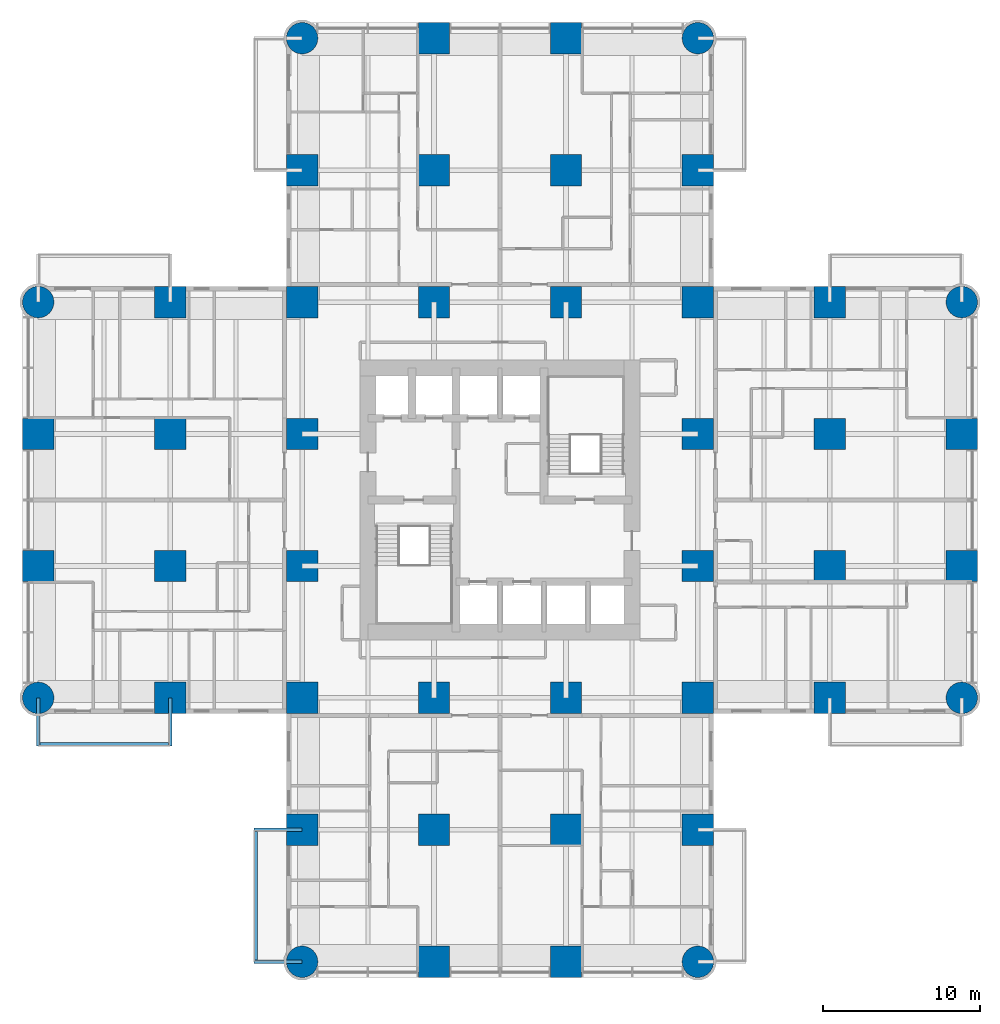
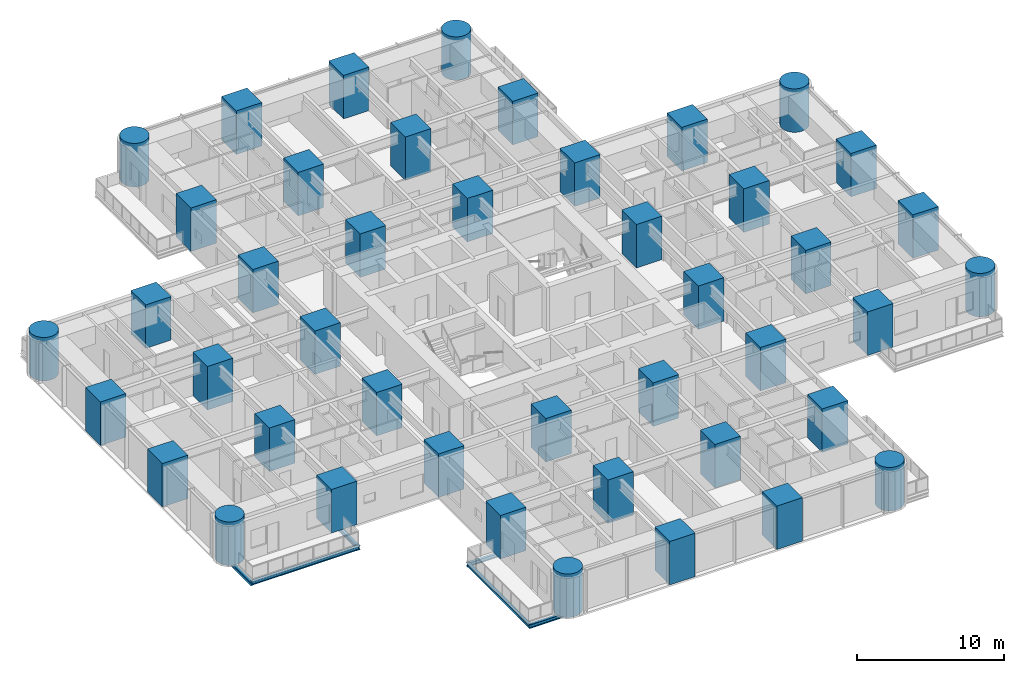
# One storey, part 1 of 17: 44 columns, 6 beams.
"""IFC4 building model written with IfcOpenShell, lengths in metres."""

from ifc_helpers import new_model, si_unit, direction, frame, origin, origin_2d, place, context, subcontext, project, spatial, rectangle, circle, i_section, extrude, material, material_profile, profile_set, type_object, element, save


model = new_model("IFC4")

# Units and contexts
model_context = context("Model", 3, precision=1e-05, world=origin(), true_north=direction((0.0, 1.0)))
body_context = subcontext(model_context, "Body", "Model", "MODEL_VIEW")
ifc_project = project(units=[si_unit("LENGTHUNIT", "METRE"), si_unit("AREAUNIT", "SQUARE_METRE"), si_unit("VOLUMEUNIT", "CUBIC_METRE"), si_unit("PLANEANGLEUNIT", "RADIAN"), si_unit("MASSUNIT", "GRAM", prefix="KILO")], contexts=[model_context])

# Site, building, storey
site_placement = place(None, origin())
site = spatial("IfcSite", under=ifc_project, at=site_placement, CompositionType="ELEMENT")
building_placement = place(site_placement, origin())
building = spatial("IfcBuilding", under=site, at=building_placement, Name="Torre Alcanfor", CompositionType="ELEMENT")
storey_placement = place(building_placement, frame((0.0, 0.0, 99.300048828125)))
storey = spatial("IfcBuildingStorey", under=building, at=storey_placement, Name="L25", CompositionType="ELEMENT", Elevation=99.300048828125)

# Columns
ifc_material_1 = material(Name="Concrete f'c 70 MPa", Category="concrete")
ifc_material_profile_1 = material_profile(ifc_material_1, rectangle(XDim=2.0, YDim=2.0, at=origin_2d()), Name="2000x2000")
ifc_profile_set_1 = profile_set([ifc_material_profile_1], Name="Concrete f'c 70 MPa")
column_type_1 = type_object("IfcColumnType", Name="RC column 2000x2000 f'c70", PredefinedType="COLUMN", material=ifc_profile_set_1)
for number, where, z_axis, x_axis, name in (
    (1, (0.0, 25.199951171875, 0.0), (0.0, 0.0, 1.0), (1.0, 0.0, 0.0), "Column 1/F L25"),
    (2, (0.0, 33.60009765625, 0.0), (0.0, 0.0, 1.0), (1.0, 0.0, 0.0), "Column 1/G L25"),
    (3, (8.39990234375, 16.800048828125, 0.0), (0.0, 0.0, 1.0), (1.0, 0.0, 0.0), "Column 2/E L25"),
    (4, (8.39990234375, 25.199951171875, 0.0), (0.0, 0.0, 1.0), (1.0, 0.0, 0.0), "Column 2/F L25"),
    (5, (8.39990234375, 33.60009765625, 0.0), (0.0, 0.0, 1.0), (1.0, 0.0, 0.0), "Column 2/G L25"),
    (6, (8.39990234375, 42.0, 0.0), (0.0, 0.0, 1.0), (1.0, 0.0, 0.0), "Column 2/H L25"),
    (7, (16.800048828125, 8.39990234375, 0.0), (0.0, 0.0, 1.0), (1.0, 0.0, 0.0), "Column 3/D L25"),
    (8, (16.800048828125, 16.800048828125, 0.0), (0.0, 0.0, 1.0), (1.0, 0.0, 0.0), "Column 3/E L25"),
    (9, (16.800048828125, 25.199951171875, 0.0), (0.0, 0.0, 1.0), (1.0, 0.0, 0.0), "Column 3/F L25"),
    (10, (16.800048828125, 33.60009765625, 0.0), (0.0, 0.0, 1.0), (1.0, 0.0, 0.0), "Column 3/G L25"),
    (11, (16.800048828125, 42.0, 0.0), (0.0, 0.0, 1.0), (1.0, 0.0, 0.0), "Column 3/H L25"),
    (12, (16.800048828125, 50.39990234375, 0.0), (0.0, 0.0, 1.0), (1.0, 0.0, 0.0), "Column 3/J L25"),
    (13, (25.199951171875, 0.0, 0.0), (0.0, 0.0, 1.0), (1.0, 0.0, 0.0), "Column 4/C L25"),
    (14, (25.199951171875, 8.39990234375, 0.0), (0.0, 0.0, 1.0), (1.0, 0.0, 0.0), "Column 4/D L25"),
    (15, (25.199951171875, 16.800048828125, 0.0), (0.0, 0.0, 1.0), (1.0, 0.0, 0.0), "Column 4/E L25"),
    (16, (25.199951171875, 42.0, 0.0), (0.0, 0.0, 1.0), (1.0, 0.0, 0.0), "Column 4/H L25"),
    (17, (25.199951171875, 50.39990234375, 0.0), (0.0, 0.0, 1.0), (1.0, 0.0, 0.0), "Column 4/J L25"),
    (18, (25.199951171875, 58.800048828125, 0.0), (0.0, 0.0, 1.0), (1.0, 0.0, 0.0), "Column 4/K L25"),
    (19, (33.60009765625, 0.0, 0.0), (0.0, 0.0, 1.0), (1.0, 0.0, 0.0), "Column 5/C L25"),
    (20, (33.60009765625, 8.39990234375, 0.0), (0.0, 0.0, 1.0), (1.0, 0.0, 0.0), "Column 5/D L25"),
    (21, (33.60009765625, 16.800048828125, 0.0), (0.0, 0.0, 1.0), (1.0, 0.0, 0.0), "Column 5/E L25"),
    (22, (33.60009765625, 42.0, 0.0), (0.0, 0.0, 1.0), (1.0, 0.0, 0.0), "Column 5/H L25"),
    (23, (33.60009765625, 50.39990234375, 0.0), (0.0, 0.0, 1.0), (1.0, 0.0, 0.0), "Column 5/J L25"),
    (24, (33.60009765625, 58.800048828125, 0.0), (0.0, 0.0, 1.0), (1.0, 0.0, 0.0), "Column 5/K L25"),
    (25, (42.0, 8.39990234375, 0.0), (0.0, 0.0, 1.0), (1.0, 0.0, 0.0), "Column 6/D L25"),
    (26, (42.0, 16.800048828125, 0.0), (0.0, 0.0, 1.0), (1.0, 0.0, 0.0), "Column 6/E L25"),
    (27, (42.0, 25.199951171875, 0.0), (0.0, 0.0, 1.0), (1.0, 0.0, 0.0), "Column 6/F L25"),
    (28, (42.0, 33.60009765625, 0.0), (0.0, 0.0, 1.0), (1.0, 0.0, 0.0), "Column 6/G L25"),
    (29, (42.0, 42.0, 0.0), (0.0, 0.0, 1.0), (1.0, 0.0, 0.0), "Column 6/H L25"),
    (30, (42.0, 50.39990234375, 0.0), (0.0, 0.0, 1.0), (1.0, 0.0, 0.0), "Column 6/J L25"),
    (31, (50.39990234375, 16.800048828125, 0.0), (0.0, 0.0, 1.0), (1.0, 0.0, 0.0), "Column 7/E L25"),
    (32, (50.39990234375, 25.199951171875, 0.0), (0.0, 0.0, 1.0), (1.0, 0.0, 0.0), "Column 7/F L25"),
    (33, (50.39990234375, 33.60009765625, 0.0), (0.0, 0.0, 1.0), (1.0, 0.0, 0.0), "Column 7/G L25"),
    (34, (50.39990234375, 42.0, 0.0), (0.0, 0.0, 1.0), (1.0, 0.0, 0.0), "Column 7/H L25"),
    (35, (58.800048828125, 25.199951171875, 0.0), (0.0, 0.0, 1.0), (1.0, 0.0, 0.0), "Column 8/F L25"),
    (36, (58.800048828125, 33.60009765625, 0.0), (0.0, 0.0, 1.0), (1.0, 0.0, 0.0), "Column 8/G L25"),
):
    element("IfcColumn", number, at=place(storey_placement, frame(where, z_axis=z_axis, x_axis=x_axis)), inside=storey, type_object=column_type_1, Name=name, PredefinedType="COLUMN", context=body_context, shape_type="SweptSolid", body=[
        extrude(rectangle(XDim=2.0, YDim=2.0, at=origin_2d()), origin(), (0.0, 0.0, 1.0), 3.599853515625),
    ])
ifc_material_2 = material(Name="Concrete f'c 70 MPa", Category="concrete")
ifc_material_profile_2 = material_profile(ifc_material_2, circle(Radius=1.0, at=origin_2d()), Name="D2000")
ifc_profile_set_2 = profile_set([ifc_material_profile_2], Name="Concrete f'c 70 MPa")
column_type_2 = type_object("IfcColumnType", Name="RC column D2000 f'c70", PredefinedType="COLUMN", material=ifc_profile_set_2)
for number, where, z_axis, x_axis, name in (
    (37, (0.0, 16.800048828125, 0.0), (0.0, 0.0, 1.0), (1.0, 0.0, 0.0), "Column 1/E L25"),
    (38, (0.0, 42.0, 0.0), (0.0, 0.0, 1.0), (1.0, 0.0, 0.0), "Column 1/H L25"),
    (39, (16.800048828125, 0.0, 0.0), (0.0, 0.0, 1.0), (1.0, 0.0, 0.0), "Column 3/C L25"),
    (40, (16.800048828125, 58.800048828125, 0.0), (0.0, 0.0, 1.0), (1.0, 0.0, 0.0), "Column 3/K L25"),
    (41, (42.0, 0.0, 0.0), (0.0, 0.0, 1.0), (1.0, 0.0, 0.0), "Column 6/C L25"),
    (42, (42.0, 58.800048828125, 0.0), (0.0, 0.0, 1.0), (1.0, 0.0, 0.0), "Column 6/K L25"),
    (43, (58.800048828125, 16.800048828125, 0.0), (0.0, 0.0, 1.0), (1.0, 0.0, 0.0), "Column 8/E L25"),
    (44, (58.800048828125, 42.0, 0.0), (0.0, 0.0, 1.0), (1.0, 0.0, 0.0), "Column 8/H L25"),
):
    element("IfcColumn", number, at=place(storey_placement, frame(where, z_axis=z_axis, x_axis=x_axis)), inside=storey, type_object=column_type_2, Name=name, PredefinedType="COLUMN", context=body_context, shape_type="SweptSolid", body=[
        extrude(circle(Radius=1.0, at=origin_2d()), origin(), (0.0, 0.0, 1.0), 3.599853515625),
    ])

# Beams
ifc_material_3 = material(Name="Steel ASTM A992 Grade 50", Category="steel")
ifc_material_profile_3 = material_profile(ifc_material_3, i_section(OverallWidth=0.205322265625, OverallDepth=0.309814453125, WebThickness=0.00927734375, FlangeThickness=0.016357421875, at=origin_2d()), Name="W12x50")
ifc_profile_set_3 = profile_set([ifc_material_profile_3], Name="Steel ASTM A992 Grade 50")
beam_type_1 = type_object("IfcBeamType", Name="Balcony cantilever beam W12x50", PredefinedType="BEAM", material=ifc_profile_set_3)
for number, where, z_axis, x_axis, name in (
    (45, (16.800048828125, 8.39990234375, -0.35498046875), (-1.0, 0.0, 0.0), (0.0, -1.0, 0.0), "Balcony cantilever beam L25-S2 1"),
    (46, (16.800048828125, 0.0, -0.35498046875), (-1.0, 0.0, 0.0), (0.0, -1.0, 0.0), "Balcony cantilever beam L25-S2 2"),
    (47, (8.39990234375, 16.800048828125, -0.35498046875), (0.0, -1.0, 0.0), (1.0, 0.0, 0.0), "Balcony cantilever beam L25-W1 1"),
    (48, (0.0, 16.800048828125, -0.35498046875), (0.0, -1.0, 0.0), (1.0, 0.0, 0.0), "Balcony cantilever beam L25-W1 2"),
):
    element("IfcBeam", number, at=place(storey_placement, frame(where, z_axis=z_axis, x_axis=x_axis)), inside=storey, type_object=beam_type_1, Name=name, PredefinedType="BEAM", context=body_context, shape_type="SweptSolid", body=[
        extrude(i_section(OverallWidth=0.205322265625, OverallDepth=0.309814453125, WebThickness=0.00927734375, FlangeThickness=0.016357421875, at=origin_2d()), origin(), (0.0, 0.0, 1.0), 3.050048828125),
    ])
ifc_material_4 = material(Name="Steel ASTM A992 Grade 50", Category="steel")
ifc_material_profile_4 = material_profile(ifc_material_4, i_section(OverallWidth=0.203369140625, OverallDepth=0.30224609375, WebThickness=0.007568359375, FlangeThickness=0.01318359375, at=origin_2d()), Name="W12x40")
ifc_profile_set_4 = profile_set([ifc_material_profile_4], Name="Steel ASTM A992 Grade 50")
beam_type_2 = type_object("IfcBeamType", Name="Balcony edge trimmer W12x40", PredefinedType="BEAM", material=ifc_profile_set_4)
for number, where, z_axis, x_axis, name in (
    (49, (13.851806640625, 8.39990234375, -0.35107421875), (0.0, -1.0, 0.0), (1.0, 0.0, 0.0), "Balcony edge trimmer L25-S2"),
    (50, (8.39990234375, 13.851806640625, -0.35107421875), (-1.0, 0.0, 0.0), (0.0, -1.0, 0.0), "Balcony edge trimmer L25-W1"),
):
    element("IfcBeam", number, at=place(storey_placement, frame(where, z_axis=z_axis, x_axis=x_axis)), inside=storey, type_object=beam_type_2, Name=name, PredefinedType="BEAM", context=body_context, shape_type="SweptSolid", body=[
        extrude(i_section(OverallWidth=0.203369140625, OverallDepth=0.30224609375, WebThickness=0.007568359375, FlangeThickness=0.01318359375, at=origin_2d()), origin(), (0.0, 0.0, 1.0), 8.39990234375),
    ])

save(model, "model.ifc")
